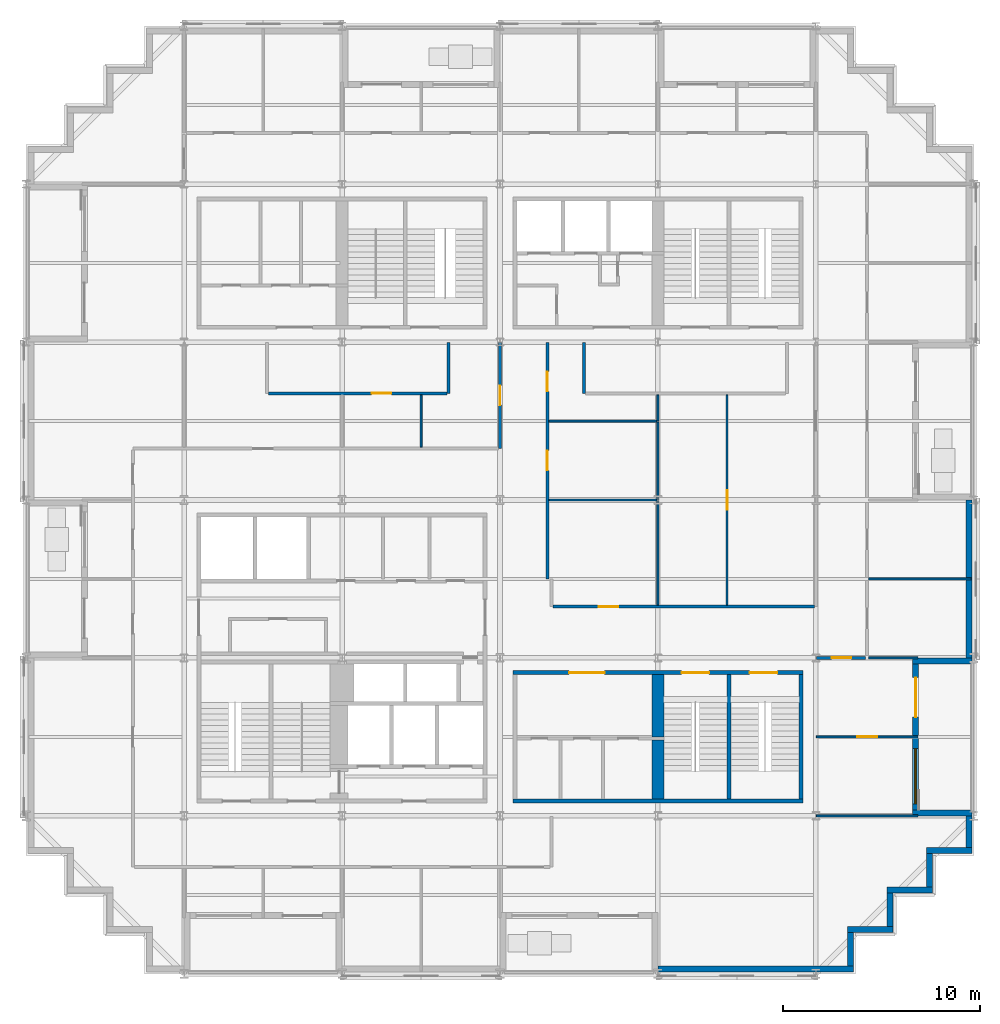
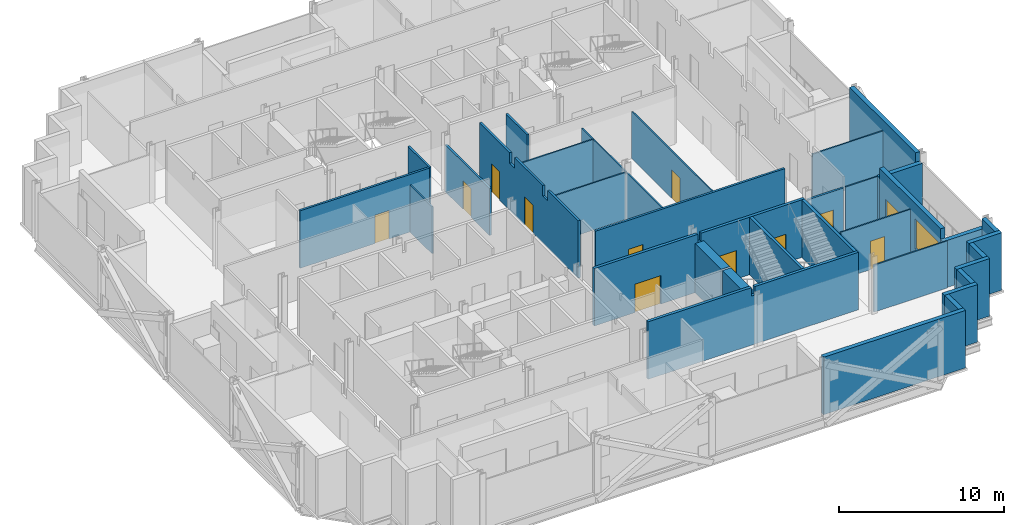
# One storey, part 8 of 15: 36 walls, 12 doors, 1 window, 13 openings.
"""IFC4 building model written with IfcOpenShell, lengths in metres."""

from ifc_helpers import new_model, si_unit, direction, frame, frame_2d, origin, place, context, subcontext, project, spatial, polyline, rectangle, outline, extrude, material, layer, layer_set, type_object, element, fill, save


model = new_model("IFC4")

# Units and contexts
model_context = context("Model", 3, precision=1e-05, world=origin(), true_north=direction((0.0, 1.0)))
body_context = subcontext(model_context, "Body", "Model", "MODEL_VIEW")
ifc_project = project(units=[si_unit("LENGTHUNIT", "METRE"), si_unit("AREAUNIT", "SQUARE_METRE"), si_unit("VOLUMEUNIT", "CUBIC_METRE"), si_unit("PLANEANGLEUNIT", "RADIAN"), si_unit("MASSUNIT", "GRAM", prefix="KILO")], contexts=[model_context])

# Site, building, storey
site_placement = place(None, origin())
site = spatial("IfcSite", under=ifc_project, at=site_placement, CompositionType="ELEMENT")
building_placement = place(site_placement, origin())
building = spatial("IfcBuilding", under=site, at=building_placement, Name="Immortelle Media Tower", CompositionType="ELEMENT")
storey_placement = place(building_placement, frame((0.0, 0.0, 105.199951171875)))
storey = spatial("IfcBuildingStorey", under=building, at=storey_placement, Name="L20", CompositionType="ELEMENT", Elevation=105.199951171875)

# Wall, opening, door
ifc_material_1 = material(Name="Fire-rated gypsum board", Category="gypsum")
ifc_layer_1 = layer(ifc_material_1, 0.012451171875)
ifc_material_2 = material(Name="Steel ASTM A653 SS Gr 50 stud frame with mineral wool", Category="steel")
ifc_layer_2 = layer(ifc_material_2, 0.125)
ifc_layer_3 = layer(ifc_material_1, 0.012451171875)
ifc_layer_set_1 = layer_set([ifc_layer_1, ifc_layer_2, ifc_layer_3], Name="Steel ASTM A653 SS Gr 50 stud frame with mineral wool")
wall_type_1 = type_object("IfcWallType", Name="Corridor wall 150", PredefinedType="PARTITIONING", material=ifc_layer_set_1)
wall_1_placement = place(storey_placement, frame((40.030029296875, 16.0, 0.0), z_axis=(0.0, 0.0, 1.0), x_axis=(1.0, 0.0, 0.0)))
wall_1 = element("IfcWall", 1, at=wall_1_placement, inside=storey, type_object=wall_type_1, Name="Partition L20-012", PredefinedType="PARTITIONING", context=body_context, shape_type="SweptSolid", body=[
    extrude(rectangle(XDim=2.494873046875, YDim=0.14990234375, at=frame_2d((1.24755859375, 0.0))), origin(), (0.0, 0.0, 1.0), 3.469970703125),
])
opening_1_placement = place(wall_1_placement, frame((1.77001953125, 0.0, 0.0), z_axis=(0.0, 0.0, 1.0), x_axis=(-1.0, 0.0, 0.0)))
opening_1 = element("IfcOpeningElement", 2, at=opening_1_placement, cuts=wall_1, Name="Opening N7-F007", PredefinedType="OPENING", context=body_context, shape_type="SweptSolid", body=[
    extrude(rectangle(XDim=1.0, YDim=2.10009765625, at=frame_2d((0.5, 1.050048828125))), frame((0.0, 0.0849609375, 0.0), z_axis=(0.0, -1.0, 0.0), x_axis=(1.0, 0.0, 0.0)), (0.0, 0.0, 1.0), 0.169921875),
])
ifc_material_3 = material(Name="Timber veneered door leaf, galvanised steel frame ASTM A653", Category="steel")
door_type_1 = type_object("IfcDoorType", Name="Room door 1000 x 2100", OperationType="NOTDEFINED", PredefinedType="DOOR", material=ifc_material_3)
door_1_placement = place(opening_1_placement, origin())
door_1 = element("IfcDoor", 3, at=door_1_placement, inside=storey, type_object=door_type_1, Name="Door N7-F007", OperationType="SINGLE_SWING_RIGHT", OverallHeight=2.10009765625, OverallWidth=1.0, PredefinedType="DOOR", context=body_context, shape_type="SweptSolid", body=[
    extrude(rectangle(XDim=1.0, YDim=2.10009765625, at=frame_2d((0.5, 1.050048828125))), frame((0.0, 0.02490234375, 0.0), z_axis=(0.0, -1.0, 0.0), x_axis=(1.0, 0.0, 0.0)), (0.0, 0.0, 1.0), 0.050048828125),
])
fill(opening_1, door_1)

wall_2_placement = place(storey_placement, frame((26.675048828125, 18.60009765625, 0.0), z_axis=(0.0, 0.0, 1.0), x_axis=(1.0, 0.0, 0.0)))
wall_2 = element("IfcWall", 4, at=wall_2_placement, inside=storey, type_object=wall_type_1, Name="Partition L20-015", PredefinedType="PARTITIONING", context=body_context, shape_type="SweptSolid", body=[
    extrude(rectangle(XDim=13.25, YDim=0.14990234375, at=frame_2d((6.625, 0.0))), origin(), (0.0, 0.0, 1.0), 4.25),
])
opening_2_placement = place(wall_2_placement, frame((2.324951171875, 0.0, 0.0)))
opening_2 = element("IfcOpeningElement", 5, at=opening_2_placement, cuts=wall_2, Name="Opening N7-F013", PredefinedType="OPENING", context=body_context, shape_type="SweptSolid", body=[
    extrude(rectangle(XDim=1.0, YDim=2.10009765625, at=frame_2d((0.5, 1.050048828125))), frame((0.0, 0.0849609375, 0.0), z_axis=(0.0, -1.0, 0.0), x_axis=(1.0, 0.0, 0.0)), (0.0, 0.0, 1.0), 0.169921875),
])
door_2_placement = place(opening_2_placement, origin())
door_2 = element("IfcDoor", 6, at=door_2_placement, inside=storey, type_object=door_type_1, Name="Door N7-F013", OperationType="SINGLE_SWING_RIGHT", OverallHeight=2.10009765625, OverallWidth=1.0, PredefinedType="DOOR", context=body_context, shape_type="SweptSolid", body=[
    extrude(rectangle(XDim=1.0, YDim=2.10009765625, at=frame_2d((0.5, 1.050048828125))), frame((0.0, 0.02490234375, 0.0), z_axis=(0.0, -1.0, 0.0), x_axis=(1.0, 0.0, 0.0)), (0.0, 0.0, 1.0), 0.050048828125),
])
fill(opening_2, door_2)

# Wall, openings, doors
wall_3_placement = place(storey_placement, frame((26.39990234375, 20.0, 0.0), z_axis=(0.0, 0.0, 1.0), x_axis=(0.0, 1.0, 0.0)))
wall_3 = element("IfcWall", 7, at=wall_3_placement, inside=storey, type_object=wall_type_1, Name="Partition L20-021", PredefinedType="PARTITIONING", context=body_context, shape_type="SweptSolid", body=[
    extrude(outline(polyline([(0.0, 0.0), (11.969970703125, 0.0), (11.969970703125, 4.25), (8.300048828125, 4.25), (8.298095703125, 3.469970703125), (7.701904296875, 3.469970703125), (7.699951171875, 4.25), (4.300048828125, 4.25), (4.298095703125, 3.469970703125), (3.701904296875, 3.469970703125), (3.699951171875, 4.25), (0.0, 4.25), (0.0, 0.0)])), frame((0.0, 0.074951171875, 0.0), z_axis=(0.0, -1.0, 0.0), x_axis=(1.0, 0.0, 0.0)), (0.0, 0.0, 1.0), 0.14990234375),
])
opening_3_placement = place(wall_3_placement, frame((6.5, 0.0, 0.0), z_axis=(0.0, 0.0, 1.0), x_axis=(-1.0, 0.0, 0.0)))
opening_3 = element("IfcOpeningElement", 8, at=opening_3_placement, cuts=wall_3, Name="Opening N7-F016", PredefinedType="OPENING", context=body_context, shape_type="SweptSolid", body=[
    extrude(rectangle(XDim=1.0, YDim=2.10009765625, at=frame_2d((0.5, 1.050048828125))), frame((0.0, 0.0849609375, 0.0), z_axis=(0.0, -1.0, 0.0), x_axis=(1.0, 0.0, 0.0)), (0.0, 0.0, 1.0), 0.169921875),
])
opening_4_placement = place(wall_3_placement, frame((10.5, 0.0, 0.0), z_axis=(0.0, 0.0, 1.0), x_axis=(-1.0, 0.0, 0.0)))
opening_4 = element("IfcOpeningElement", 9, at=opening_4_placement, cuts=wall_3, Name="Opening N7-F017", PredefinedType="OPENING", context=body_context, shape_type="SweptSolid", body=[
    extrude(rectangle(XDim=1.0, YDim=2.10009765625, at=frame_2d((0.5, 1.050048828125))), frame((0.0, 0.0849609375, 0.0), z_axis=(0.0, -1.0, 0.0), x_axis=(1.0, 0.0, 0.0)), (0.0, 0.0, 1.0), 0.169921875),
])
door_3_placement = place(opening_3_placement, origin())
door_3 = element("IfcDoor", 10, at=door_3_placement, inside=storey, type_object=door_type_1, Name="Door N7-F016", OperationType="SINGLE_SWING_RIGHT", OverallHeight=2.10009765625, OverallWidth=1.0, PredefinedType="DOOR", context=body_context, shape_type="SweptSolid", body=[
    extrude(rectangle(XDim=1.0, YDim=2.10009765625, at=frame_2d((0.5, 1.050048828125))), frame((0.0, 0.02490234375, 0.0), z_axis=(0.0, -1.0, 0.0), x_axis=(1.0, 0.0, 0.0)), (0.0, 0.0, 1.0), 0.050048828125),
])
fill(opening_3, door_3)
door_4_placement = place(opening_4_placement, origin())
door_4 = element("IfcDoor", 11, at=door_4_placement, inside=storey, type_object=door_type_1, Name="Door N7-F017", OperationType="SINGLE_SWING_LEFT", OverallHeight=2.10009765625, OverallWidth=1.0, PredefinedType="DOOR", context=body_context, shape_type="SweptSolid", body=[
    extrude(rectangle(XDim=1.0, YDim=2.10009765625, at=frame_2d((0.5, 1.050048828125))), frame((0.0, 0.02490234375, 0.0), z_axis=(0.0, -1.0, 0.0), x_axis=(1.0, 0.0, 0.0)), (0.0, 0.0, 1.0), 0.050048828125),
])
fill(opening_4, door_4)

# Wall, opening, door
wall_4_placement = place(storey_placement, frame((24.0, 26.60009765625, 0.0), z_axis=(0.0, 0.0, 1.0), x_axis=(0.0, 1.0, 0.0)))
wall_4 = element("IfcWall", 12, at=wall_4_placement, inside=storey, type_object=wall_type_1, Name="Partition L20-031", PredefinedType="PARTITIONING", context=body_context, shape_type="SweptSolid", body=[
    extrude(rectangle(XDim=5.369873046875, YDim=0.14990234375, at=frame_2d((2.68505859375, 0.0))), origin(), (0.0, 0.0, 1.0), 3.469970703125),
])
opening_5_placement = place(wall_4_placement, frame((2.199951171875, 0.0, 0.0)))
opening_5 = element("IfcOpeningElement", 13, at=opening_5_placement, cuts=wall_4, Name="Opening N7-F020", PredefinedType="OPENING", context=body_context, shape_type="SweptSolid", body=[
    extrude(rectangle(XDim=1.0, YDim=2.10009765625, at=frame_2d((0.5, 1.050048828125))), frame((0.0, 0.0849609375, 0.0), z_axis=(0.0, -1.0, 0.0), x_axis=(1.0, 0.0, 0.0)), (0.0, 0.0, 1.0), 0.169921875),
])
door_5_placement = place(opening_5_placement, origin())
door_5 = element("IfcDoor", 14, at=door_5_placement, inside=storey, type_object=door_type_1, Name="Door N7-F020", OperationType="SINGLE_SWING_RIGHT", OverallHeight=2.10009765625, OverallWidth=1.0, PredefinedType="DOOR", context=body_context, shape_type="SweptSolid", body=[
    extrude(rectangle(XDim=1.0, YDim=2.10009765625, at=frame_2d((0.5, 1.050048828125))), frame((0.0, 0.02490234375, 0.0), z_axis=(0.0, -1.0, 0.0), x_axis=(1.0, 0.0, 0.0)), (0.0, 0.0, 1.0), 0.050048828125),
])
fill(opening_5, door_5)

wall_5_placement = place(storey_placement, frame((12.27490234375, 29.39990234375, 0.0), z_axis=(0.0, 0.0, 1.0), x_axis=(1.0, 0.0, 0.0)))
wall_5 = element("IfcWall", 15, at=wall_5_placement, inside=storey, type_object=wall_type_1, Name="Partition L20-034", PredefinedType="PARTITIONING", context=body_context, shape_type="SweptSolid", body=[
    extrude(rectangle(XDim=9.050048828125, YDim=0.14990234375, at=frame_2d((4.52490234375, 0.0))), origin(), (0.0, 0.0, 1.0), 4.25),
])
opening_6_placement = place(wall_5_placement, frame((6.22509765625, 0.0, 0.0), z_axis=(0.0, 0.0, 1.0), x_axis=(-1.0, 0.0, 0.0)))
opening_6 = element("IfcOpeningElement", 16, at=opening_6_placement, cuts=wall_5, Name="Opening N7-F019", PredefinedType="OPENING", context=body_context, shape_type="SweptSolid", body=[
    extrude(rectangle(XDim=1.0, YDim=2.10009765625, at=frame_2d((0.5, 1.050048828125))), frame((0.0, 0.0849609375, 0.0), z_axis=(0.0, -1.0, 0.0), x_axis=(1.0, 0.0, 0.0)), (0.0, 0.0, 1.0), 0.169921875),
])
door_6_placement = place(opening_6_placement, origin())
door_6 = element("IfcDoor", 17, at=door_6_placement, inside=storey, type_object=door_type_1, Name="Door N7-F019", OperationType="SINGLE_SWING_LEFT", OverallHeight=2.10009765625, OverallWidth=1.0, PredefinedType="DOOR", context=body_context, shape_type="SweptSolid", body=[
    extrude(rectangle(XDim=1.0, YDim=2.10009765625, at=frame_2d((0.5, 1.050048828125))), frame((0.0, 0.02490234375, 0.0), z_axis=(0.0, -1.0, 0.0), x_axis=(1.0, 0.0, 0.0)), (0.0, 0.0, 1.0), 0.050048828125),
])
fill(opening_6, door_6)

# Walls
for number, where, z_axis, x_axis, name in (
    (18, (21.39990234375, 29.39990234375, 0.0), (0.0, 0.0, 1.0), (0.0, 1.0, 0.0), "Partition L20-036"),
    (19, (28.25, 29.39990234375, 0.0), (0.0, 0.0, 1.0), (0.0, 1.0, 0.0), "Partition L20-038"),
):
    element("IfcWall", number, at=place(storey_placement, frame(where, z_axis=z_axis, x_axis=x_axis)), inside=storey, type_object=wall_type_1, Name=name, PredefinedType="PARTITIONING", context=body_context, shape_type="SweptSolid", body=[
        extrude(rectangle(XDim=2.570068359375, YDim=0.14990234375, at=frame_2d((1.28515625, 0.0))), origin(), (0.0, 0.0, 1.0), 4.25),
    ])
ifc_material_4 = material(Name="Pale aluminium cladding panel", Category="aluminium")
ifc_layer_4 = layer(ifc_material_4, 0.030029296875)
ifc_layer_5 = layer(ifc_material_2, 0.257568359375)
ifc_material_5 = material(Name="Moisture-resistant gypsum board", Category="gypsum")
ifc_layer_6 = layer(ifc_material_5, 0.012451171875)
ifc_layer_set_2 = layer_set([ifc_layer_4, ifc_layer_5, ifc_layer_6], Name="Steel ASTM A653 SS Gr 50 stud frame with mineral wool")
wall_type_2 = type_object("IfcWallType", Name="Facade wall 300", PredefinedType="SOLIDWALL", material=ifc_layer_set_2)
wall_6_placement = place(storey_placement, frame((32.0, 0.25, 0.0), z_axis=(0.0, 0.0, 1.0), x_axis=(1.0, 0.0, 0.0)))
element("IfcWall", 20, at=wall_6_placement, inside=storey, type_object=wall_type_2, Name="Facade wall L20 S7", PredefinedType="SOLIDWALL", context=body_context, shape_type="SweptSolid", body=[
    extrude(rectangle(XDim=9.89990234375, YDim=0.300048828125, at=frame_2d((4.949951171875, 0.0))), origin(), (0.0, 0.0, 1.0), 4.25),
])
wall_7_placement = place(storey_placement, frame((41.75, 0.39990234375, 0.0), z_axis=(0.0, 0.0, 1.0), x_axis=(0.0, 1.0, 0.0)))
element("IfcWall", 21, at=wall_7_placement, inside=storey, type_object=wall_type_2, Name="Facade wall L20 E8", PredefinedType="SOLIDWALL", context=body_context, shape_type="SweptSolid", body=[
    extrude(rectangle(XDim=1.7001953125, YDim=0.300048828125, at=frame_2d((0.85009765625, 0.0))), origin(), (0.0, 0.0, 1.0), 4.25),
])
wall_8_placement = place(storey_placement, frame((41.60009765625, 2.25, 0.0), z_axis=(0.0, 0.0, 1.0), x_axis=(1.0, 0.0, 0.0)))
element("IfcWall", 22, at=wall_8_placement, inside=storey, type_object=wall_type_2, Name="Facade wall L20 S9", PredefinedType="SOLIDWALL", context=body_context, shape_type="SweptSolid", body=[
    extrude(rectangle(XDim=2.2998046875, YDim=0.300048828125, at=frame_2d((1.14990234375, 0.0))), origin(), (0.0, 0.0, 1.0), 4.25),
])
wall_9_placement = place(storey_placement, frame((43.75, 2.39990234375, 0.0), z_axis=(0.0, 0.0, 1.0), x_axis=(0.0, 1.0, 0.0)))
element("IfcWall", 23, at=wall_9_placement, inside=storey, type_object=wall_type_2, Name="Facade wall L20 E10", PredefinedType="SOLIDWALL", context=body_context, shape_type="SweptSolid", body=[
    extrude(rectangle(XDim=1.7001953125, YDim=0.300048828125, at=frame_2d((0.85009765625, 0.0))), origin(), (0.0, 0.0, 1.0), 4.25),
])
wall_10_placement = place(storey_placement, frame((43.60009765625, 4.25, 0.0), z_axis=(0.0, 0.0, 1.0), x_axis=(1.0, 0.0, 0.0)))
element("IfcWall", 24, at=wall_10_placement, inside=storey, type_object=wall_type_2, Name="Facade wall L20 S11", PredefinedType="SOLIDWALL", context=body_context, shape_type="SweptSolid", body=[
    extrude(rectangle(XDim=2.2998046875, YDim=0.300048828125, at=frame_2d((1.14990234375, 0.0))), origin(), (0.0, 0.0, 1.0), 4.25),
])
wall_11_placement = place(storey_placement, frame((45.75, 4.39990234375, 0.0), z_axis=(0.0, 0.0, 1.0), x_axis=(0.0, 1.0, 0.0)))
element("IfcWall", 25, at=wall_11_placement, inside=storey, type_object=wall_type_2, Name="Facade wall L20 E12", PredefinedType="SOLIDWALL", context=body_context, shape_type="SweptSolid", body=[
    extrude(rectangle(XDim=1.7001953125, YDim=0.300048828125, at=frame_2d((0.85009765625, 0.0))), origin(), (0.0, 0.0, 1.0), 4.25),
])
wall_12_placement = place(storey_placement, frame((45.60009765625, 6.25, 0.0), z_axis=(0.0, 0.0, 1.0), x_axis=(1.0, 0.0, 0.0)))
element("IfcWall", 26, at=wall_12_placement, inside=storey, type_object=wall_type_2, Name="Facade wall L20 S13", PredefinedType="SOLIDWALL", context=body_context, shape_type="SweptSolid", body=[
    extrude(rectangle(XDim=2.2998046875, YDim=0.300048828125, at=frame_2d((1.14990234375, 0.0))), origin(), (0.0, 0.0, 1.0), 4.25),
])
wall_13_placement = place(storey_placement, frame((47.75, 6.39990234375, 0.0), z_axis=(0.0, 0.0, 1.0), x_axis=(0.0, 1.0, 0.0)))
element("IfcWall", 27, at=wall_13_placement, inside=storey, type_object=wall_type_2, Name="Facade wall L20 E14", PredefinedType="SOLIDWALL", context=body_context, shape_type="SweptSolid", body=[
    extrude(rectangle(XDim=1.60009765625, YDim=0.300048828125, at=frame_2d((0.800048828125, 0.0))), origin(), (0.0, 0.0, 1.0), 4.25),
])

# Wall, openings, door, window
wall_14_placement = place(storey_placement, frame((45.050048828125, 8.300048828125, 0.0), z_axis=(0.0, 0.0, 1.0), x_axis=(0.0, 1.0, 0.0)))
wall_14 = element("IfcWall", 28, at=wall_14_placement, inside=storey, type_object=wall_type_2, Name="Loggia wall L20 E14", PredefinedType="SOLIDWALL", context=body_context, shape_type="SweptSolid", body=[
    extrude(rectangle(XDim=7.39990234375, YDim=0.300048828125, at=frame_2d((3.699951171875, 0.0))), origin(), (0.0, 0.0, 1.0), 4.25),
])
opening_7_placement = place(wall_14_placement, frame((0.300048828125, 0.0, 0.89990234375)))
opening_7 = element("IfcOpeningElement", 29, at=opening_7_placement, cuts=wall_14, Name="Opening W1", PredefinedType="OPENING", context=body_context, shape_type="SweptSolid", body=[
    extrude(rectangle(XDim=2.800048828125, YDim=2.199951171875, at=frame_2d((1.39990234375, 1.10009765625))), frame((0.0, 0.159912109375, 0.0), z_axis=(0.0, -1.0, 0.0), x_axis=(1.0, 0.0, 0.0)), (0.0, 0.0, 1.0), 0.320068359375),
])
opening_8_placement = place(wall_14_placement, frame((4.699951171875, 0.0, 0.0)))
opening_8 = element("IfcOpeningElement", 30, at=opening_8_placement, cuts=wall_14, Name="Opening N7-E005", PredefinedType="OPENING", context=body_context, shape_type="SweptSolid", body=[
    extrude(rectangle(XDim=2.0, YDim=2.39990234375, at=frame_2d((1.0, 1.199951171875))), frame((0.0, 0.159912109375, 0.0), z_axis=(0.0, -1.0, 0.0), x_axis=(1.0, 0.0, 0.0)), (0.0, 0.0, 1.0), 0.320068359375),
])
ifc_material_6 = material(Name="Aluminium frame, glazed leaves", Category="aluminium")
door_type_2 = type_object("IfcDoorType", Name="Loggia door 2000 x 2400", OperationType="DOUBLE_DOOR_SINGLE_SWING", PredefinedType="DOOR", material=ifc_material_6)
door_7_placement = place(opening_8_placement, origin())
door_7 = element("IfcDoor", 31, at=door_7_placement, inside=storey, type_object=door_type_2, Name="Door N7-E005", OperationType="DOUBLE_DOOR_SINGLE_SWING", OverallHeight=2.39990234375, OverallWidth=2.0, PredefinedType="DOOR", context=body_context, shape_type="SweptSolid", body=[
    extrude(rectangle(XDim=2.0, YDim=2.39990234375, at=frame_2d((1.0, 1.199951171875))), frame((0.0, 0.02490234375, 0.0), z_axis=(0.0, -1.0, 0.0), x_axis=(1.0, 0.0, 0.0)), (0.0, 0.0, 1.0), 0.050048828125),
])
fill(opening_8, door_7)
ifc_material_7 = material(Name="Aluminium frame", Category="aluminium")
window_type = type_object("IfcWindowType", Name="Window 2800 x 2200", PartitioningType="SINGLE_PANEL", PredefinedType="WINDOW", material=ifc_material_7)
window_placement = place(opening_7_placement, origin())
window = element("IfcWindow", 32, at=window_placement, inside=storey, type_object=window_type, Name="Window L20 L20-R14-B0", OverallHeight=2.199951171875, OverallWidth=2.800048828125, PartitioningType="SINGLE_PANEL", PredefinedType="WINDOW", context=body_context, shape_type="SweptSolid", body=[
    extrude(rectangle(XDim=2.800048828125, YDim=2.199951171875, at=frame_2d((1.39990234375, 1.10009765625))), frame((0.0, 0.030029296875, 0.0), z_axis=(0.0, -1.0, 0.0), x_axis=(1.0, 0.0, 0.0)), (0.0, 0.0, 1.0), 0.06005859375),
])
fill(opening_7, window)

# Walls
wall_15_placement = place(storey_placement, frame((47.89990234375, 8.14990234375, 0.0), z_axis=(0.0, 0.0, 1.0), x_axis=(-1.0, 0.0, 0.0)))
element("IfcWall", 33, at=wall_15_placement, inside=storey, type_object=wall_type_2, Name="Loggia cheek wall L20 E", PredefinedType="SOLIDWALL", context=body_context, shape_type="SweptSolid", body=[
    extrude(rectangle(XDim=3.0, YDim=0.300048828125, at=frame_2d((1.5, 0.0))), origin(), (0.0, 0.0, 1.0), 3.468994140625),
])
wall_16_placement = place(storey_placement, frame((47.89990234375, 15.85009765625, 0.0), z_axis=(0.0, 0.0, 1.0), x_axis=(-1.0, 0.0, 0.0)))
element("IfcWall", 34, at=wall_16_placement, inside=storey, type_object=wall_type_2, Name="Loggia cheek wall L20 E", PredefinedType="SOLIDWALL", context=body_context, shape_type="SweptSolid", body=[
    extrude(rectangle(XDim=3.0, YDim=0.300048828125, at=frame_2d((1.5, 0.0))), origin(), (0.0, 0.0, 1.0), 3.55615234375),
])
wall_17_placement = place(storey_placement, frame((47.75, 16.0, 0.0), z_axis=(0.0, 0.0, 1.0), x_axis=(0.0, 1.0, 0.0)))
element("IfcWall", 35, at=wall_17_placement, inside=storey, type_object=wall_type_2, Name="Facade wall L20 E14", PredefinedType="SOLIDWALL", context=body_context, shape_type="SweptSolid", body=[
    extrude(rectangle(XDim=8.0, YDim=0.300048828125, at=frame_2d((4.0, 0.0))), origin(), (0.0, 0.0, 1.0), 4.25),
])
ifc_material_8 = material(Name="Gypsum board", Category="gypsum")
ifc_layer_7 = layer(ifc_material_8, 0.012451171875)
ifc_layer_8 = layer(ifc_material_2, 0.074951171875)
ifc_layer_9 = layer(ifc_material_8, 0.012451171875)
ifc_layer_set_3 = layer_set([ifc_layer_7, ifc_layer_8, ifc_layer_9], Name="Steel ASTM A653 SS Gr 50 stud frame with mineral wool")
wall_type_3 = type_object("IfcWallType", Name="Partition 100", PredefinedType="PARTITIONING", material=ifc_layer_set_3)
wall_18_placement = place(storey_placement, frame((40.030029296875, 8.0, 0.0), z_axis=(0.0, 0.0, 1.0), x_axis=(1.0, 0.0, 0.0)))
element("IfcWall", 36, at=wall_18_placement, inside=storey, type_object=wall_type_3, Name="Partition L20-009", PredefinedType="PARTITIONING", context=body_context, shape_type="SweptSolid", body=[
    extrude(rectangle(XDim=5.139892578125, YDim=0.10009765625, at=frame_2d((2.56982421875, 0.0))), origin(), (0.0, 0.0, 1.0), 3.469970703125),
])

# Wall, opening, door
wall_19_placement = place(storey_placement, frame((40.030029296875, 12.0, 0.0), z_axis=(0.0, 0.0, 1.0), x_axis=(1.0, 0.0, 0.0)))
wall_19 = element("IfcWall", 37, at=wall_19_placement, inside=storey, type_object=wall_type_3, Name="Partition L20-010", PredefinedType="PARTITIONING", context=body_context, shape_type="SweptSolid", body=[
    extrude(rectangle(XDim=5.139892578125, YDim=0.10009765625, at=frame_2d((2.56982421875, 0.0))), origin(), (0.0, 0.0, 1.0), 3.469970703125),
])
opening_9_placement = place(wall_19_placement, frame((3.070068359375, 0.0, 0.0), z_axis=(0.0, 0.0, 1.0), x_axis=(-1.0, 0.0, 0.0)))
opening_9 = element("IfcOpeningElement", 38, at=opening_9_placement, cuts=wall_19, Name="Opening N7-F008", PredefinedType="OPENING", context=body_context, shape_type="SweptSolid", body=[
    extrude(rectangle(XDim=1.0, YDim=2.10009765625, at=frame_2d((0.5, 1.050048828125))), frame((0.0, 0.06005859375, 0.0), z_axis=(0.0, -1.0, 0.0), x_axis=(1.0, 0.0, 0.0)), (0.0, 0.0, 1.0), 0.1201171875),
])
door_8_placement = place(opening_9_placement, origin())
door_8 = element("IfcDoor", 39, at=door_8_placement, inside=storey, type_object=door_type_1, Name="Door N7-F008", OperationType="SINGLE_SWING_RIGHT", OverallHeight=2.10009765625, OverallWidth=1.0, PredefinedType="DOOR", context=body_context, shape_type="SweptSolid", body=[
    extrude(rectangle(XDim=1.0, YDim=2.10009765625, at=frame_2d((0.5, 1.050048828125))), frame((0.0, 0.02490234375, 0.0), z_axis=(0.0, -1.0, 0.0), x_axis=(1.0, 0.0, 0.0)), (0.0, 0.0, 1.0), 0.050048828125),
])
fill(opening_9, door_8)

# Walls
wall_20_placement = place(storey_placement, frame((42.675048828125, 16.0, 0.0), z_axis=(0.0, 0.0, 1.0), x_axis=(1.0, 0.0, 0.0)))
element("IfcWall", 40, at=wall_20_placement, inside=storey, type_object=wall_type_3, Name="Partition L20-013", PredefinedType="PARTITIONING", context=body_context, shape_type="SweptSolid", body=[
    extrude(rectangle(XDim=2.494873046875, YDim=0.10009765625, at=frame_2d((1.24755859375, 0.0))), origin(), (0.0, 0.0, 1.0), 3.469970703125),
])
wall_21_placement = place(storey_placement, frame((32.0, 18.675048828125, 0.0), z_axis=(0.0, 0.0, 1.0), x_axis=(0.0, 1.0, 0.0)))
element("IfcWall", 41, at=wall_21_placement, inside=storey, type_object=wall_type_3, Name="Partition L20-017", PredefinedType="PARTITIONING", context=body_context, shape_type="SweptSolid", body=[
    extrude(rectangle(XDim=5.27490234375, YDim=0.10009765625, at=frame_2d((2.637451171875, 0.0))), origin(), (0.0, 0.0, 1.0), 3.469970703125),
])

# Wall, opening, door
wall_22_placement = place(storey_placement, frame((35.5, 18.675048828125, 0.0), z_axis=(0.0, 0.0, 1.0), x_axis=(0.0, 1.0, 0.0)))
wall_22 = element("IfcWall", 42, at=wall_22_placement, inside=storey, type_object=wall_type_3, Name="Partition L20-018", PredefinedType="PARTITIONING", context=body_context, shape_type="SweptSolid", body=[
    extrude(rectangle(XDim=10.64990234375, YDim=0.10009765625, at=frame_2d((5.324951171875, 0.0))), origin(), (0.0, 0.0, 1.0), 3.469970703125),
])
opening_10_placement = place(wall_22_placement, frame((4.824951171875, 0.0, 0.0)))
opening_10 = element("IfcOpeningElement", 43, at=opening_10_placement, cuts=wall_22, Name="Opening N7-F015", PredefinedType="OPENING", context=body_context, shape_type="SweptSolid", body=[
    extrude(rectangle(XDim=1.0, YDim=2.10009765625, at=frame_2d((0.5, 1.050048828125))), frame((0.0, 0.06005859375, 0.0), z_axis=(0.0, -1.0, 0.0), x_axis=(1.0, 0.0, 0.0)), (0.0, 0.0, 1.0), 0.1201171875),
])
door_9_placement = place(opening_10_placement, origin())
door_9 = element("IfcDoor", 44, at=door_9_placement, inside=storey, type_object=door_type_1, Name="Door N7-F015", OperationType="SINGLE_SWING_RIGHT", OverallHeight=2.10009765625, OverallWidth=1.0, PredefinedType="DOOR", context=body_context, shape_type="SweptSolid", body=[
    extrude(rectangle(XDim=1.0, YDim=2.10009765625, at=frame_2d((0.5, 1.050048828125))), frame((0.0, 0.02490234375, 0.0), z_axis=(0.0, -1.0, 0.0), x_axis=(1.0, 0.0, 0.0)), (0.0, 0.0, 1.0), 0.050048828125),
])
fill(opening_10, door_9)

# Walls
wall_23_placement = place(storey_placement, frame((42.675048828125, 20.0, 0.0), z_axis=(0.0, 0.0, 1.0), x_axis=(1.0, 0.0, 0.0)))
element("IfcWall", 45, at=wall_23_placement, inside=storey, type_object=wall_type_3, Name="Partition L20-022", PredefinedType="PARTITIONING", context=body_context, shape_type="SweptSolid", body=[
    extrude(rectangle(XDim=5.195068359375, YDim=0.10009765625, at=frame_2d((2.59765625, 0.0))), origin(), (0.0, 0.0, 1.0), 3.469970703125),
])
wall_24_placement = place(storey_placement, frame((26.47509765625, 24.0, 0.0), z_axis=(0.0, 0.0, 1.0), x_axis=(1.0, 0.0, 0.0)))
element("IfcWall", 46, at=wall_24_placement, inside=storey, type_object=wall_type_3, Name="Partition L20-024", PredefinedType="PARTITIONING", context=body_context, shape_type="SweptSolid", body=[
    extrude(rectangle(XDim=5.474853515625, YDim=0.10009765625, at=frame_2d((2.7373046875, 0.0))), origin(), (0.0, 0.0, 1.0), 3.469970703125),
])
wall_25_placement = place(storey_placement, frame((32.0, 24.0, 0.0), z_axis=(0.0, 0.0, 1.0), x_axis=(0.0, 1.0, 0.0)))
element("IfcWall", 47, at=wall_25_placement, inside=storey, type_object=wall_type_3, Name="Partition L20-025", PredefinedType="PARTITIONING", context=body_context, shape_type="SweptSolid", body=[
    extrude(rectangle(XDim=3.949951171875, YDim=0.10009765625, at=frame_2d((1.97509765625, 0.0))), origin(), (0.0, 0.0, 1.0), 3.469970703125),
])
wall_26_placement = place(storey_placement, frame((20.0, 26.675048828125, 0.0), z_axis=(0.0, 0.0, 1.0), x_axis=(0.0, 1.0, 0.0)))
element("IfcWall", 48, at=wall_26_placement, inside=storey, type_object=wall_type_3, Name="Partition L20-030", PredefinedType="PARTITIONING", context=body_context, shape_type="SweptSolid", body=[
    extrude(rectangle(XDim=2.64990234375, YDim=0.10009765625, at=frame_2d((1.324951171875, 0.0))), origin(), (0.0, 0.0, 1.0), 3.469970703125),
])
wall_27_placement = place(storey_placement, frame((26.47509765625, 28.0, 0.0), z_axis=(0.0, 0.0, 1.0), x_axis=(1.0, 0.0, 0.0)))
element("IfcWall", 49, at=wall_27_placement, inside=storey, type_object=wall_type_3, Name="Partition L20-032", PredefinedType="PARTITIONING", context=body_context, shape_type="SweptSolid", body=[
    extrude(rectangle(XDim=5.474853515625, YDim=0.10009765625, at=frame_2d((2.7373046875, 0.0))), origin(), (0.0, 0.0, 1.0), 3.469970703125),
])
wall_28_placement = place(storey_placement, frame((32.0, 28.0, 0.0), z_axis=(0.0, 0.0, 1.0), x_axis=(0.0, 1.0, 0.0)))
element("IfcWall", 50, at=wall_28_placement, inside=storey, type_object=wall_type_3, Name="Partition L20-033", PredefinedType="PARTITIONING", context=body_context, shape_type="SweptSolid", body=[
    extrude(rectangle(XDim=1.324951171875, YDim=0.10009765625, at=frame_2d((0.66259765625, 0.0))), origin(), (0.0, 0.0, 1.0), 3.469970703125),
])
ifc_material_9 = material(Name="Concrete C60", Category="concrete")
ifc_layer_10 = layer(ifc_material_9, 0.199951171875)
ifc_layer_set_4 = layer_set([ifc_layer_10], Name="Concrete C60")
wall_type_4 = type_object("IfcWallType", Name="Stair shaft wall 200", PredefinedType="PARTITIONING", material=ifc_layer_set_4)
wall_29_placement = place(storey_placement, frame((24.64990234375, 8.75, 0.0), z_axis=(0.0, 0.0, 1.0), x_axis=(1.0, 0.0, 0.0)))
element("IfcWall", 51, at=wall_29_placement, inside=storey, type_object=wall_type_4, Name="Stair shaft wall SE", PredefinedType="PARTITIONING", context=body_context, shape_type="SweptSolid", body=[
    extrude(outline(polyline([(0.0, 0.0), (14.7001953125, 0.0), (14.699951171875, 4.25), (7.469482421875, 4.25), (7.468505859375, 3.632080078125), (7.2314453125, 3.632080078125), (7.23046875, 4.25), (0.0, 4.25), (0.0, 0.0)])), frame((0.0, 0.10009765625, 0.0), z_axis=(0.0, -1.0, 0.0), x_axis=(1.0, 0.0, 0.0)), (0.0, 0.0, 1.0), 0.199951171875),
])

# Wall, openings, doors
wall_30_placement = place(storey_placement, frame((24.64990234375, 15.25, 0.0), z_axis=(0.0, 0.0, 1.0), x_axis=(1.0, 0.0, 0.0)))
wall_30 = element("IfcWall", 52, at=wall_30_placement, inside=storey, type_object=wall_type_4, Name="Stair shaft wall SE", PredefinedType="PARTITIONING", context=body_context, shape_type="SweptSolid", body=[
    extrude(outline(polyline([(0.0, 0.0), (14.7001953125, 0.0), (14.699951171875, 4.25), (7.469482421875, 4.25), (7.468505859375, 3.632080078125), (7.2314453125, 3.632080078125), (7.23046875, 4.25), (0.0, 4.25), (0.0, 0.0)])), frame((0.0, 0.10009765625, 0.0), z_axis=(0.0, -1.0, 0.0), x_axis=(1.0, 0.0, 0.0)), (0.0, 0.0, 1.0), 0.199951171875),
])
opening_11_placement = place(wall_30_placement, frame((2.85009765625, 0.0, 0.0)))
opening_11 = element("IfcOpeningElement", 53, at=opening_11_placement, cuts=wall_30, Name="Opening N7-K017", PredefinedType="OPENING", context=body_context, shape_type="SweptSolid", body=[
    extrude(rectangle(XDim=1.800048828125, YDim=2.10009765625, at=frame_2d((0.89990234375, 1.050048828125))), frame((0.0, 0.10986328125, 0.0), z_axis=(0.0, -1.0, 0.0), x_axis=(1.0, 0.0, 0.0)), (0.0, 0.0, 1.0), 0.219970703125),
])
opening_12_placement = place(wall_30_placement, frame((9.949951171875, 0.0, 0.0), z_axis=(0.0, 0.0, 1.0), x_axis=(-1.0, 0.0, 0.0)))
opening_12 = element("IfcOpeningElement", 54, at=opening_12_placement, cuts=wall_30, Name="Opening N7-K019", PredefinedType="OPENING", context=body_context, shape_type="SweptSolid", body=[
    extrude(rectangle(XDim=1.39990234375, YDim=2.10009765625, at=frame_2d((0.699951171875, 1.050048828125))), frame((0.0, 0.10986328125, 0.0), z_axis=(0.0, -1.0, 0.0), x_axis=(1.0, 0.0, 0.0)), (0.0, 0.0, 1.0), 0.219970703125),
])
opening_13_placement = place(wall_30_placement, frame((13.39990234375, 0.0, 0.0), z_axis=(0.0, 0.0, 1.0), x_axis=(-1.0, 0.0, 0.0)))
opening_13 = element("IfcOpeningElement", 55, at=opening_13_placement, cuts=wall_30, Name="Opening N7-K020", PredefinedType="OPENING", context=body_context, shape_type="SweptSolid", body=[
    extrude(rectangle(XDim=1.39990234375, YDim=2.10009765625, at=frame_2d((0.699951171875, 1.050048828125))), frame((0.0, 0.10986328125, 0.0), z_axis=(0.0, -1.0, 0.0), x_axis=(1.0, 0.0, 0.0)), (0.0, 0.0, 1.0), 0.219970703125),
])
ifc_material_10 = material(Name="Galvanised steel door leaf and frame ASTM A653", Category="steel")
door_type_3 = type_object("IfcDoorType", Name="Lift lobby door 1800 x 2100", OperationType="DOUBLE_DOOR_SINGLE_SWING", PredefinedType="NOTDEFINED", material=ifc_material_10)
door_10_placement = place(opening_11_placement, origin())
door_10 = element("IfcDoor", 56, at=door_10_placement, inside=storey, type_object=door_type_3, Name="Lift lobby N7-K017", OperationType="DOUBLE_DOOR_SINGLE_SWING", OverallHeight=2.10009765625, OverallWidth=1.800048828125, PredefinedType="NOTDEFINED", context=body_context, shape_type="SweptSolid", body=[
    extrude(rectangle(XDim=1.800048828125, YDim=2.10009765625, at=frame_2d((0.89990234375, 1.050048828125))), frame((0.0, 0.02490234375, 0.0), z_axis=(0.0, -1.0, 0.0), x_axis=(1.0, 0.0, 0.0)), (0.0, 0.0, 1.0), 0.050048828125),
])
fill(opening_11, door_10)
door_type_4 = type_object("IfcDoorType", Name="Stair door 1400 x 2100", OperationType="DOUBLE_DOOR_SINGLE_SWING", PredefinedType="NOTDEFINED", material=ifc_material_10)
door_11_placement = place(opening_12_placement, origin())
door_11 = element("IfcDoor", 57, at=door_11_placement, inside=storey, type_object=door_type_4, Name="Stair N7-K019", OperationType="DOUBLE_DOOR_SINGLE_SWING", OverallHeight=2.10009765625, OverallWidth=1.39990234375, PredefinedType="NOTDEFINED", context=body_context, shape_type="SweptSolid", body=[
    extrude(rectangle(XDim=1.39990234375, YDim=2.10009765625, at=frame_2d((0.699951171875, 1.050048828125))), frame((0.0, 0.02490234375, 0.0), z_axis=(0.0, -1.0, 0.0), x_axis=(1.0, 0.0, 0.0)), (0.0, 0.0, 1.0), 0.050048828125),
])
fill(opening_12, door_11)
door_12_placement = place(opening_13_placement, origin())
door_12 = element("IfcDoor", 58, at=door_12_placement, inside=storey, type_object=door_type_4, Name="Stair N7-K020", OperationType="DOUBLE_DOOR_SINGLE_SWING", OverallHeight=2.10009765625, OverallWidth=1.39990234375, PredefinedType="NOTDEFINED", context=body_context, shape_type="SweptSolid", body=[
    extrude(rectangle(XDim=1.39990234375, YDim=2.10009765625, at=frame_2d((0.699951171875, 1.050048828125))), frame((0.0, 0.02490234375, 0.0), z_axis=(0.0, -1.0, 0.0), x_axis=(1.0, 0.0, 0.0)), (0.0, 0.0, 1.0), 0.050048828125),
])
fill(opening_13, door_12)

# Walls
for number, where, z_axis, x_axis, name in (
    (59, (35.60009765625, 8.85009765625, 0.0), (0.0, 0.0, 1.0), (0.0, 1.0, 0.0), "Stair shaft wall SE"),
    (60, (39.25, 8.85009765625, 0.0), (0.0, 0.0, 1.0), (0.0, 1.0, 0.0), "Stair shaft wall SE"),
):
    element("IfcWall", number, at=place(storey_placement, frame(where, z_axis=z_axis, x_axis=x_axis)), inside=storey, type_object=wall_type_4, Name=name, PredefinedType="PARTITIONING", context=body_context, shape_type="SweptSolid", body=[
        extrude(rectangle(XDim=6.2998046875, YDim=0.199951171875, at=frame_2d((3.14990234375, 0.0))), origin(), (0.0, 0.0, 1.0), 4.25),
    ])
ifc_layer_11 = layer(ifc_material_9, 0.60009765625)
ifc_layer_set_5 = layer_set([ifc_layer_11], Name="Concrete C60")
wall_type_5 = type_object("IfcWallType", Name="Stair shaft wall 600", PredefinedType="PARTITIONING", material=ifc_layer_set_5)
wall_31_placement = place(storey_placement, frame((32.0, 8.85009765625, 0.0), z_axis=(0.0, 0.0, 1.0), x_axis=(0.0, 1.0, 0.0)))
element("IfcWall", 61, at=wall_31_placement, inside=storey, type_object=wall_type_5, Name="Stair shaft wall SE", PredefinedType="PARTITIONING", context=body_context, shape_type="SweptSolid", body=[
    extrude(rectangle(XDim=3.0, YDim=0.60009765625, at=frame_2d((1.5, 0.0))), origin(), (0.0, 0.0, 1.0), 3.632080078125),
])
wall_32_placement = place(storey_placement, frame((32.0, 12.0, 0.0), z_axis=(0.0, 0.0, 1.0), x_axis=(0.0, 1.0, 0.0)))
element("IfcWall", 62, at=wall_32_placement, inside=storey, type_object=wall_type_5, Name="Stair shaft wall SE", PredefinedType="PARTITIONING", context=body_context, shape_type="SweptSolid", body=[
    extrude(rectangle(XDim=3.14990234375, YDim=0.60009765625, at=frame_2d((1.574951171875, 0.0))), origin(), (0.0, 0.0, 1.0), 3.632080078125),
])

save(model, "model.ifc")
